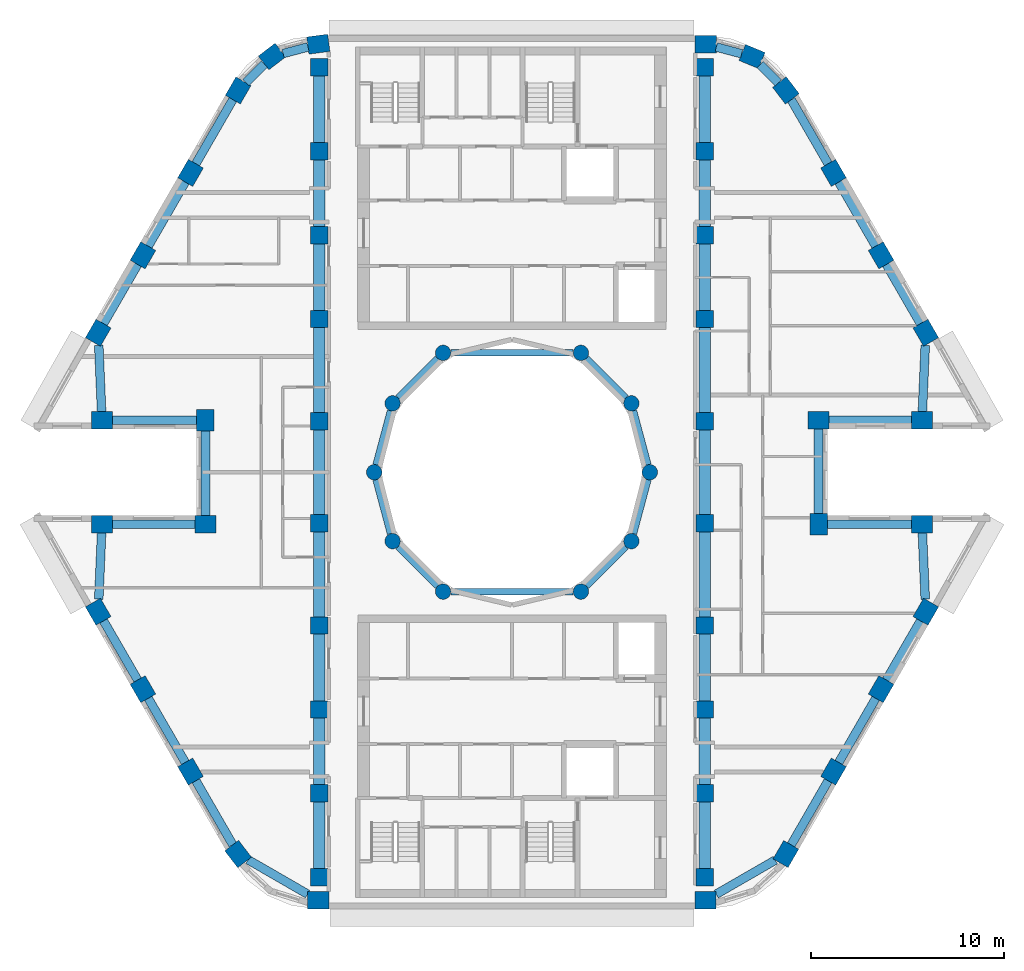
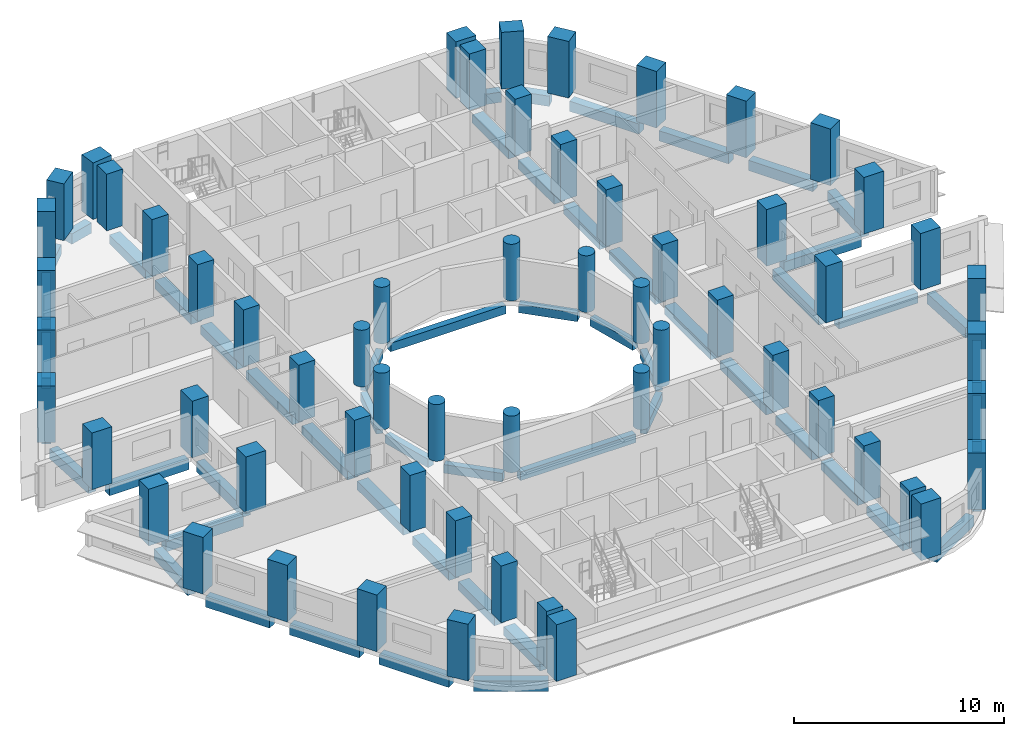
# One storey, part 1 of 12: 60 columns, 56 beams.
"""IFC4 building model written with IfcOpenShell, lengths in metres."""

import ifcopenshell
import ifcopenshell.guid

model = None  # the IFC model being written
_history = None  # IfcOwnerHistory: only IFC2X3 demands one
_inside = {}  # id of a spatial element -> (the spatial element, [elements in it])
_under = {}  # id of a project, library or spatial element -> (it, [spatial elements below it])
_declared = {}  # id of a project -> (the project, [libraries it declares])
_typed = {}  # id of a type object -> (the type object, [elements of that type])
_made_of = {}  # id of a material, layer set ... -> (it, [elements and type objects made of it])


def new_model(schema):
    """Start an empty IFC model of exactly this schema.

    Asked for "IFC4X3", IfcOpenShell would pick the latest addendum, in which some entities
    have other attributes; the version numbers below select the first issue.
    IFC2X3 requires an IfcOwnerHistory on every rooted entity: one is made here for all.
    """
    global model, _history
    if schema == "IFC4X3":
        model = ifcopenshell.file(schema_version=(4, 3, 0, 0))
    else:
        model = ifcopenshell.file(schema=schema)
    _inside.clear()
    _under.clear()
    _declared.clear()
    _typed.clear()
    _made_of.clear()
    _history = None
    if model.schema == "IFC2X3":
        org = make("IfcOrganization", Name="unknown")
        user = make(
            "IfcPersonAndOrganization",
            ThePerson=make("IfcPerson", FamilyName="unknown"),
            TheOrganization=org,
        )
        app = make(
            "IfcApplication",
            ApplicationDeveloper=org,
            Version="unknown",
            ApplicationFullName="unknown",
            ApplicationIdentifier="unknown",
        )
        _history = make(
            "IfcOwnerHistory",
            OwningUser=user,
            OwningApplication=app,
            ChangeAction="ADDED",
            CreationDate=0,
        )
    return model


def make(cls, **values):
    """One entity of the class cls with the attributes given. An attribute that is None is left unset."""
    return model.create_entity(
        cls, **{name: value for name, value in values.items() if value is not None}
    )


def rooted(cls, **values):
    """An entity with a GlobalId (a new one), such as an element, a storey or a relation."""
    return make(cls, GlobalId=ifcopenshell.guid.new(), OwnerHistory=_history, **values)


def si_unit(unit_type, name, prefix=None):
    """IfcSIUnit, for example si_unit("LENGTHUNIT", "METRE", prefix="MILLI")."""
    return make("IfcSIUnit", UnitType=unit_type, Prefix=prefix, Name=name)


def assignment(units):
    """IfcUnitAssignment: the units of a project."""
    return None if units is None else make("IfcUnitAssignment", Units=units)


def point(xyz):
    """IfcCartesianPoint."""
    return None if xyz is None else make("IfcCartesianPoint", Coordinates=xyz)


def direction(xyz):
    """IfcDirection."""
    return None if xyz is None else make("IfcDirection", DirectionRatios=xyz)


def frame(location, z_axis=None, x_axis=None):
    """IfcAxis2Placement3D, a coordinate frame: its origin and axes. An axis left out is left unset."""
    return make(
        "IfcAxis2Placement3D",
        Location=point(location),
        Axis=direction(z_axis),
        RefDirection=direction(x_axis),
    )


def frame_2d(location, x_axis=None):
    """IfcAxis2Placement2D, a coordinate frame in the plane: its origin and x axis."""
    return make(
        "IfcAxis2Placement2D", Location=point(location), RefDirection=direction(x_axis)
    )


def origin():
    """The frame at (0, 0, 0) with its axes left unset."""
    return frame((0.0, 0.0, 0.0))


def origin_2d():
    """The frame at (0, 0) in the plane with its x axis left unset."""
    return frame_2d((0.0, 0.0))


def place(relative_to, where):
    """IfcLocalPlacement: puts the frame where relative to a parent placement (None: the world)."""
    return make(
        "IfcLocalPlacement", PlacementRelTo=relative_to, RelativePlacement=where
    )


def context(
    kind, dimensions, precision=None, world=None, true_north=None, identifier=None
):
    """IfcGeometricRepresentationContext, for example the 3D "Model" context."""
    return make(
        "IfcGeometricRepresentationContext",
        ContextIdentifier=identifier,
        ContextType=kind,
        CoordinateSpaceDimension=dimensions,
        Precision=precision,
        WorldCoordinateSystem=world,
        TrueNorth=true_north,
    )


def subcontext(parent, identifier, kind, view, scale=None):
    """IfcGeometricRepresentationSubContext, for example "Body" below "Model"."""
    return make(
        "IfcGeometricRepresentationSubContext",
        ContextIdentifier=identifier,
        ContextType=kind,
        ParentContext=parent,
        TargetScale=scale,
        TargetView=view,
    )


def project(units=None, contexts=None):
    """IfcProject with its units and contexts."""
    return rooted(
        "IfcProject",
        Name="project",
        RepresentationContexts=contexts,
        UnitsInContext=assignment(units),
    )


def spatial(cls, under=None, at=None, **own):
    """A site, building, storey or space (cls), placed at a placement, below another one or the project."""
    s = rooted(cls, ObjectPlacement=at, **own)
    if under is not None:
        _under.setdefault(under.id(), (under, []))[1].append(s)
    return s


def profile(cls, at=None, kind="AREA", **sizes):
    """A parametric profile (cls). Its sizes go by their IFC names, for example OverallWidth=200.0."""
    return make(cls, ProfileType=kind, Position=at, **sizes)


def rectangle(**sizes):
    """IfcRectangleProfileDef."""
    return profile("IfcRectangleProfileDef", **sizes)


def circle(**sizes):
    """IfcCircleProfileDef."""
    return profile("IfcCircleProfileDef", **sizes)


def extrude(swept, where, along, depth):
    """IfcExtrudedAreaSolid: the profile swept, set in the frame where, extruded along a direction by depth."""
    return make(
        "IfcExtrudedAreaSolid",
        SweptArea=swept,
        Position=where,
        ExtrudedDirection=direction(along),
        Depth=depth,
    )


def shape(context_of_items, identifier, shape_type, items):
    """IfcShapeRepresentation: the items that make up one representation, for example the "Body"."""
    return make(
        "IfcShapeRepresentation",
        ContextOfItems=context_of_items,
        RepresentationIdentifier=identifier,
        RepresentationType=shape_type,
        Items=items,
    )


def material(Name=None, Category=None):
    """IfcMaterial."""
    return make("IfcMaterial", Name=Name, Category=Category)


def material_profile(
    of_material, cross_section, Name=None, Category=None, Priority=None
):
    """IfcMaterialProfile: a cross section and its material."""
    return make(
        "IfcMaterialProfile",
        Name=Name,
        Material=of_material,
        Profile=cross_section,
        Priority=Priority,
        Category=Category,
    )


def profile_set(profiles, Name=None, composite=None):
    """IfcMaterialProfileSet."""
    return make(
        "IfcMaterialProfileSet",
        Name=Name,
        MaterialProfiles=profiles,
        CompositeProfile=composite,
    )


def made_of(thing, what):
    """Note that an element or type object is made of a material, layer set ...; save() writes the relation."""
    if what is not None:
        _made_of.setdefault(what.id(), (what, []))[1].append(thing)
    return thing


def type_object(cls, material=None, **own):
    """A type object (cls), such as IfcWallType, which elements share."""
    return made_of(rooted(cls, **own), material)


def element(
    cls,
    number,
    at=None,
    inside=None,
    cuts=None,
    type_object=None,
    material=None,
    context=None,
    identifier="Body",
    shape_type=None,
    held_by="IfcProductDefinitionShape",
    body=None,
    shapes=None,
    **own,
):
    """One element of the class cls, such as IfcWall. Its Tag is "e" and its number.

    at: its placement. inside: the storey or other place that contains it. cuts: it is an
    opening in that element (IfcRelVoidsElement). A single representation is given by context,
    identifier, shape_type and body (its items); several are given by shapes. held_by: the class
    of the entity that holds the representations. save() writes the other relations.
    """
    e = rooted(cls, Tag="e%d" % number, ObjectPlacement=at, **own)
    if body is not None:
        shapes = [shape(context, identifier, shape_type, body)]
    if shapes is not None:
        e.Representation = make(held_by, Representations=shapes)
    if inside is not None:
        _inside.setdefault(inside.id(), (inside, []))[1].append(e)
    if cuts is not None:
        rooted(
            "IfcRelVoidsElement", RelatingBuildingElement=cuts, RelatedOpeningElement=e
        )
    if type_object is not None:
        _typed.setdefault(type_object.id(), (type_object, []))[1].append(e)
    return made_of(e, material)


def aggregate(whole, parts):
    """IfcRelAggregates: a whole, such as a stair, and the parts it consists of."""
    return rooted("IfcRelAggregates", RelatingObject=whole, RelatedObjects=parts)


def save(model, path):
    """Write the relations noted so far, then the file.

    IfcRelAggregates (storeys below a building ...), IfcRelContainedInSpatialStructure (elements
    in a storey), IfcRelDefinesByType, IfcRelAssociatesMaterial and IfcRelDeclares: one each for
    every whole, place, type object, material and project.
    """
    for whole, parts in _under.values():
        aggregate(whole, parts)
    for where, things in _inside.values():
        rooted(
            "IfcRelContainedInSpatialStructure",
            RelatedElements=things,
            RelatingStructure=where,
        )
    for kind, things in _typed.values():
        rooted("IfcRelDefinesByType", RelatedObjects=things, RelatingType=kind)
    for what, things in _made_of.values():
        rooted("IfcRelAssociatesMaterial", RelatedObjects=things, RelatingMaterial=what)
    for by, libraries in _declared.values():
        rooted("IfcRelDeclares", RelatingContext=by, RelatedDefinitions=libraries)
    model.write(path)


model = new_model("IFC4")

# Units and contexts
model_context = context("Model", 3, precision=1e-05, world=origin(), true_north=direction((0.0, 1.0)))
body_context = subcontext(model_context, "Body", "Model", "MODEL_VIEW")
ifc_project = project(units=[si_unit("LENGTHUNIT", "METRE"), si_unit("AREAUNIT", "SQUARE_METRE"), si_unit("VOLUMEUNIT", "CUBIC_METRE"), si_unit("PLANEANGLEUNIT", "RADIAN"), si_unit("MASSUNIT", "GRAM", prefix="KILO")], contexts=[model_context])

# Site, building, storey
site_placement = place(None, origin())
site = spatial("IfcSite", under=ifc_project, at=site_placement, CompositionType="ELEMENT")
building_placement = place(site_placement, origin())
building = spatial("IfcBuilding", under=site, at=building_placement, Name="Nakaniwa Court", CompositionType="ELEMENT")
storey_placement = place(building_placement, frame((0.0, 0.0, 249.300048828125)))
storey = spatial("IfcBuildingStorey", under=building, at=storey_placement, Name="L65", CompositionType="ELEMENT", Elevation=249.300048828125)

# Columns
ifc_material = material(Name="Concrete C80/100", Category="concrete")
ifc_material_profile_1 = material_profile(ifc_material, rectangle(XDim=1.10009765625, YDim=0.89990234375, at=origin_2d()), Name="Concrete C80/100 RC 1100x900 perimeter column")
ifc_profile_set_1 = profile_set([ifc_material_profile_1], Name="Concrete C80/100")
column_type_1 = type_object("IfcColumnType", Name="Concrete C80/100 RC 1100x900 perimeter column", PredefinedType="COLUMN", material=ifc_profile_set_1)
for number, where, z_axis, x_axis, name in (
    (1, (69.95458984375, 102.199951171875, 0.0), (0.0, 0.0, 1.0), (-0.991442583111, -0.130543496177, 0.0), "COLUMN CO-01"),
    (2, (67.552001953125, 101.560302734375, 0.0), (0.0, 0.0, 1.0), (-0.793363965062, -0.608747582288, 0.0), "COLUMN CO-02"),
    (3, (65.796875, 99.799560546875, 0.0), (0.0, 0.0, 1.0), (-0.5, -0.866025403784, 0.0), "COLUMN CO-03"),
    (4, (63.328857421875, 95.524658203125, 0.0), (0.0, 0.0, 1.0), (-0.5, -0.866025403784, 0.0), "COLUMN CO-04"),
    (5, (60.860595703125, 91.249755859375, 0.0), (0.0, 0.0, 1.0), (-0.5, -0.866025403784, 0.0), "COLUMN CO-05"),
    (6, (58.541015625, 87.232177734375, 0.0), (0.0, 0.0, 1.0), (-0.5, -0.866025403784, 0.0), "COLUMN CO-06"),
    (7, (58.736083984375, 82.699951171875, 0.0), (0.0, 0.0, 1.0), (1.0, 0.0, 0.0), "COLUMN CO-08"),
    (8, (64.1005859375, 82.699951171875, 0.0), (0.0, 0.0, 1.0), (0.0, -1.0, 0.0), "COLUMN CO-09"),
    (9, (64.1005859375, 77.300048828125, 0.0), (0.0, 0.0, 1.0), (-1.0, 0.0, 0.0), "COLUMN CO-10"),
    (10, (58.736083984375, 77.300048828125, 0.0), (0.0, 0.0, 1.0), (-1.0, 0.0, 0.0), "COLUMN CO-11"),
    (11, (58.541015625, 72.767822265625, 0.0), (0.0, 0.0, 1.0), (0.5, -0.866025403784, 0.0), "COLUMN CO-13"),
    (12, (60.860595703125, 68.750244140625, 0.0), (0.0, 0.0, 1.0), (0.5, -0.866025403784, 0.0), "COLUMN CO-14"),
    (13, (63.328857421875, 64.475341796875, 0.0), (0.0, 0.0, 1.0), (0.5, -0.866025403784, 0.0), "COLUMN CO-15"),
    (14, (65.796875, 60.200439453125, 0.0), (0.0, 0.0, 1.0), (0.608761429009, -0.793353340291, 0.0), "COLUMN CO-16"),
    (15, (69.95458984375, 57.800048828125, 0.0), (0.0, 0.0, 1.0), (1.0, 0.0, 0.0), "COLUMN CO-17"),
    (16, (90.03955078125, 57.800048828125, 0.0), (0.0, 0.0, 1.0), (1.0, 0.0, 0.0), "COLUMN CO-21"),
    (17, (94.203125, 60.200439453125, 0.0), (0.0, 0.0, 1.0), (0.5, 0.866025403784, 0.0), "COLUMN CO-22"),
    (18, (96.671142578125, 64.475341796875, 0.0), (0.0, 0.0, 1.0), (0.5, 0.866025403784, 0.0), "COLUMN CO-23"),
    (19, (99.139404296875, 68.750244140625, 0.0), (0.0, 0.0, 1.0), (0.5, 0.866025403784, 0.0), "COLUMN CO-24"),
    (20, (101.458984375, 72.767822265625, 0.0), (0.0, 0.0, 1.0), (0.5, 0.866025403784, 0.0), "COLUMN CO-25"),
    (21, (101.263916015625, 77.300048828125, 0.0), (0.0, 0.0, 1.0), (-1.0, 0.0, 0.0), "COLUMN CO-27"),
    (22, (95.8994140625, 77.300048828125, 0.0), (0.0, 0.0, 1.0), (0.0, 1.0, 0.0), "COLUMN CO-28"),
    (23, (95.8994140625, 82.699951171875, 0.0), (0.0, 0.0, 1.0), (1.0, 0.0, 0.0), "COLUMN CO-29"),
    (24, (101.263916015625, 82.699951171875, 0.0), (0.0, 0.0, 1.0), (1.0, 0.0, 0.0), "COLUMN CO-30"),
    (25, (101.458984375, 87.232177734375, 0.0), (0.0, 0.0, 1.0), (-0.5, 0.866025403784, 0.0), "COLUMN CO-32"),
    (26, (99.139404296875, 91.249755859375, 0.0), (0.0, 0.0, 1.0), (-0.5, 0.866025403784, 0.0), "COLUMN CO-33"),
    (27, (96.671142578125, 95.524658203125, 0.0), (0.0, 0.0, 1.0), (-0.5, 0.866025403784, 0.0), "COLUMN CO-34"),
    (28, (94.203125, 99.799560546875, 0.0), (0.0, 0.0, 1.0), (-0.608761429009, 0.793353340291, 0.0), "COLUMN CO-35"),
    (29, (92.447998046875, 101.560302734375, 0.0), (0.0, 0.0, 1.0), (-0.923879532511, 0.382683432365, 0.0), "COLUMN CO-36"),
    (30, (90.04541015625, 102.199951171875, 0.0), (0.0, 0.0, 1.0), (-1.0, 0.0, 0.0), "COLUMN CO-37"),
):
    element("IfcColumn", number, at=place(storey_placement, frame(where, z_axis=z_axis, x_axis=x_axis)), inside=storey, type_object=column_type_1, Name=name, PredefinedType="COLUMN", context=body_context, shape_type="SweptSolid", body=[
        extrude(rectangle(XDim=1.10009765625, YDim=0.89990234375, at=origin_2d()), origin(), (0.0, 0.0, 1.0), 3.300048828125),
    ])
ifc_material_profile_2 = material_profile(ifc_material, rectangle(XDim=0.89990234375, YDim=0.89990234375, at=origin_2d()), Name="Concrete C80/100 RC 900x900 spine column")
ifc_profile_set_2 = profile_set([ifc_material_profile_2], Name="Concrete C80/100")
column_type_2 = type_object("IfcColumnType", Name="Concrete C80/100 RC 900x900 spine column", PredefinedType="COLUMN", material=ifc_profile_set_2)
for number, where, z_axis, x_axis, name in (
    (31, (90.0, 59.0, 0.0), (0.0, 0.0, 1.0), (0.0, 1.0, 0.0), "COLUMN CS-01"),
    (32, (90.0, 63.35009765625, 0.0), (0.0, 0.0, 1.0), (0.0, 1.0, 0.0), "COLUMN CS-02"),
    (33, (90.0, 67.699951171875, 0.0), (0.0, 0.0, 1.0), (0.0, 1.0, 0.0), "COLUMN CS-03"),
    (34, (90.0, 72.050048828125, 0.0), (0.0, 0.0, 1.0), (0.0, 1.0, 0.0), "COLUMN CS-04"),
    (35, (90.0, 77.35009765625, 0.0), (0.0, 0.0, 1.0), (0.0, 1.0, 0.0), "COLUMN CS-05"),
    (36, (90.0, 82.64990234375, 0.0), (0.0, 0.0, 1.0), (0.0, 1.0, 0.0), "COLUMN CS-06"),
    (37, (90.0, 87.949951171875, 0.0), (0.0, 0.0, 1.0), (0.0, 1.0, 0.0), "COLUMN CS-07"),
    (38, (90.0, 92.300048828125, 0.0), (0.0, 0.0, 1.0), (0.0, 1.0, 0.0), "COLUMN CS-08"),
    (39, (90.0, 96.64990234375, 0.0), (0.0, 0.0, 1.0), (0.0, 1.0, 0.0), "COLUMN CS-09"),
    (40, (90.0, 101.0, 0.0), (0.0, 0.0, 1.0), (0.0, 1.0, 0.0), "COLUMN CS-10"),
    (41, (70.0, 101.0, 0.0), (0.0, 0.0, 1.0), (0.0, -1.0, 0.0), "COLUMN CS-11"),
    (42, (70.0, 96.64990234375, 0.0), (0.0, 0.0, 1.0), (0.0, -1.0, 0.0), "COLUMN CS-12"),
    (43, (70.0, 92.300048828125, 0.0), (0.0, 0.0, 1.0), (0.0, -1.0, 0.0), "COLUMN CS-13"),
    (44, (70.0, 87.949951171875, 0.0), (0.0, 0.0, 1.0), (0.0, -1.0, 0.0), "COLUMN CS-14"),
    (45, (70.0, 82.64990234375, 0.0), (0.0, 0.0, 1.0), (0.0, -1.0, 0.0), "COLUMN CS-15"),
    (46, (70.0, 77.35009765625, 0.0), (0.0, 0.0, 1.0), (0.0, -1.0, 0.0), "COLUMN CS-16"),
    (47, (70.0, 72.050048828125, 0.0), (0.0, 0.0, 1.0), (0.0, -1.0, 0.0), "COLUMN CS-17"),
    (48, (70.0, 67.699951171875, 0.0), (0.0, 0.0, 1.0), (0.0, -1.0, 0.0), "COLUMN CS-18"),
    (49, (70.0, 63.35009765625, 0.0), (0.0, 0.0, 1.0), (0.0, -1.0, 0.0), "COLUMN CS-19"),
    (50, (70.0, 59.0, 0.0), (0.0, 0.0, 1.0), (0.0, -1.0, 0.0), "COLUMN CS-20"),
):
    element("IfcColumn", number, at=place(storey_placement, frame(where, z_axis=z_axis, x_axis=x_axis)), inside=storey, type_object=column_type_2, Name=name, PredefinedType="COLUMN", context=body_context, shape_type="SweptSolid", body=[
        extrude(rectangle(XDim=0.89990234375, YDim=0.89990234375, at=origin_2d()), origin(), (0.0, 0.0, 1.0), 3.300048828125),
    ])
ifc_material_profile_3 = material_profile(ifc_material, circle(Radius=0.39990234375, at=origin_2d()), Name="Concrete C80/100 RC D800 inner ring column")
ifc_profile_set_3 = profile_set([ifc_material_profile_3], Name="Concrete C80/100")
column_type_3 = type_object("IfcColumnType", Name="Concrete C80/100 RC D800 inner ring column", PredefinedType="COLUMN", material=ifc_profile_set_3)
for number, where, z_axis, x_axis, name in (
    (51, (87.14990234375, 80.0, 0.0), (0.0, 0.0, 1.0), (0.0, 1.0, 0.0), "COLUMN CI-01"),
    (52, (86.192138671875, 83.574951171875, 0.0), (0.0, 0.0, 1.0), (-0.5, 0.866025403784, 0.0), "COLUMN CI-02"),
    (53, (83.574951171875, 86.192138671875, 0.0), (0.0, 0.0, 1.0), (-0.866025403784, 0.5, 0.0), "COLUMN CI-03"),
    (54, (76.425048828125, 86.192138671875, 0.0), (0.0, 0.0, 1.0), (-0.866025403784, -0.5, 0.0), "COLUMN CI-05"),
    (55, (73.807861328125, 83.574951171875, 0.0), (0.0, 0.0, 1.0), (-0.5, -0.866025403784, 0.0), "COLUMN CI-06"),
    (56, (72.85009765625, 80.0, 0.0), (0.0, 0.0, 1.0), (0.0, -1.0, 0.0), "COLUMN CI-07"),
    (57, (73.807861328125, 76.425048828125, 0.0), (0.0, 0.0, 1.0), (0.5, -0.866025403784, 0.0), "COLUMN CI-08"),
    (58, (76.425048828125, 73.807861328125, 0.0), (0.0, 0.0, 1.0), (0.866025403784, -0.5, 0.0), "COLUMN CI-09"),
    (59, (83.574951171875, 73.807861328125, 0.0), (0.0, 0.0, 1.0), (0.866025403784, 0.5, 0.0), "COLUMN CI-11"),
    (60, (86.192138671875, 76.425048828125, 0.0), (0.0, 0.0, 1.0), (0.5, 0.866025403784, 0.0), "COLUMN CI-12"),
):
    element("IfcColumn", number, at=place(storey_placement, frame(where, z_axis=z_axis, x_axis=x_axis)), inside=storey, type_object=column_type_3, Name=name, PredefinedType="COLUMN", context=body_context, shape_type="SweptSolid", body=[
        extrude(circle(Radius=0.39990234375, at=origin_2d()), origin(), (0.0, 0.0, 1.0), 3.300048828125),
    ])

# Beams
ifc_material_profile_4 = material_profile(ifc_material, rectangle(XDim=0.35009765625, YDim=0.5, at=origin_2d()), Name="Concrete C80/100 RC 350x500 ring beam")
ifc_profile_set_4 = profile_set([ifc_material_profile_4], Name="Concrete C80/100")
beam_type_1 = type_object("IfcBeamType", Name="Concrete C80/100 RC 350x500 ring beam", PredefinedType="BEAM", material=ifc_profile_set_4)
beam_1_placement = place(storey_placement, frame((87.04638671875, 80.386474609375, -0.525146484375), z_axis=(-0.258778150207, 0.965936783115, 0.0), x_axis=(-0.965936783115, -0.258778150207, 0.0)))
element("IfcBeam", 61, at=beam_1_placement, inside=storey, type_object=beam_type_1, Name="RING BEAM", PredefinedType="BEAM", context=body_context, shape_type="SweptSolid", body=[
    extrude(rectangle(XDim=0.35009765625, YDim=0.5, at=origin_2d()), origin(), (0.0, 0.0, 1.0), 2.901123046875),
])
beam_2_placement = place(storey_placement, frame((85.9091796875, 83.85791015625, -0.525146484375), z_axis=(-0.707106781187, 0.707106781187, 0.0), x_axis=(-0.707106781187, -0.707106781187, 0.0)))
element("IfcBeam", 62, at=beam_2_placement, inside=storey, type_object=beam_type_1, Name="RING BEAM", PredefinedType="BEAM", context=body_context, shape_type="SweptSolid", body=[
    extrude(rectangle(XDim=0.35009765625, YDim=0.5, at=origin_2d()), origin(), (0.0, 0.0, 1.0), 2.90087890625),
])
beam_3_placement = place(storey_placement, frame((83.175048828125, 86.192138671875, -0.525146484375), z_axis=(-1.0, 0.0, 0.0), x_axis=(0.0, -1.0, 0.0)))
element("IfcBeam", 63, at=beam_3_placement, inside=storey, type_object=beam_type_1, Name="RING BEAM", PredefinedType="BEAM", context=body_context, shape_type="SweptSolid", body=[
    extrude(rectangle(XDim=0.35009765625, YDim=0.5, at=origin_2d()), origin(), (0.0, 0.0, 1.0), 6.35009765625),
])
beam_4_placement = place(storey_placement, frame((76.14208984375, 85.9091796875, -0.525146484375), z_axis=(-0.707106781187, -0.707106781187, 0.0), x_axis=(0.707106781187, -0.707106781187, 0.0)))
element("IfcBeam", 64, at=beam_4_placement, inside=storey, type_object=beam_type_1, Name="RING BEAM", PredefinedType="BEAM", context=body_context, shape_type="SweptSolid", body=[
    extrude(rectangle(XDim=0.35009765625, YDim=0.5, at=origin_2d()), origin(), (0.0, 0.0, 1.0), 2.90087890625),
])
for number, where, z_axis, x_axis, name in (
    (65, (73.704345703125, 83.188720703125, -0.525146484375), (-0.258778150207, -0.965936783115, 0.0), (0.965936783115, -0.258778150207, 0.0), "RING BEAM"),
    (66, (72.95361328125, 79.613525390625, -0.525146484375), (0.258778150207, -0.965936783115, 0.0), (0.965936783115, 0.258778150207, 0.0), "RING BEAM"),
):
    element("IfcBeam", number, at=place(storey_placement, frame(where, z_axis=z_axis, x_axis=x_axis)), inside=storey, type_object=beam_type_1, Name=name, PredefinedType="BEAM", context=body_context, shape_type="SweptSolid", body=[
        extrude(rectangle(XDim=0.35009765625, YDim=0.5, at=origin_2d()), origin(), (0.0, 0.0, 1.0), 2.901123046875),
    ])
beam_5_placement = place(storey_placement, frame((74.0908203125, 76.14208984375, -0.525146484375), z_axis=(0.707106781187, -0.707106781187, 0.0), x_axis=(0.707106781187, 0.707106781187, 0.0)))
element("IfcBeam", 67, at=beam_5_placement, inside=storey, type_object=beam_type_1, Name="RING BEAM", PredefinedType="BEAM", context=body_context, shape_type="SweptSolid", body=[
    extrude(rectangle(XDim=0.35009765625, YDim=0.5, at=origin_2d()), origin(), (0.0, 0.0, 1.0), 2.90087890625),
])
beam_6_placement = place(storey_placement, frame((76.824951171875, 73.807861328125, -0.525146484375), z_axis=(1.0, 0.0, 0.0), x_axis=(0.0, 1.0, 0.0)))
element("IfcBeam", 68, at=beam_6_placement, inside=storey, type_object=beam_type_1, Name="RING BEAM", PredefinedType="BEAM", context=body_context, shape_type="SweptSolid", body=[
    extrude(rectangle(XDim=0.35009765625, YDim=0.5, at=origin_2d()), origin(), (0.0, 0.0, 1.0), 6.35009765625),
])
beam_7_placement = place(storey_placement, frame((83.85791015625, 74.0908203125, -0.525146484375), z_axis=(0.707106781187, 0.707106781187, 0.0), x_axis=(-0.707106781187, 0.707106781187, 0.0)))
element("IfcBeam", 69, at=beam_7_placement, inside=storey, type_object=beam_type_1, Name="RING BEAM", PredefinedType="BEAM", context=body_context, shape_type="SweptSolid", body=[
    extrude(rectangle(XDim=0.35009765625, YDim=0.5, at=origin_2d()), origin(), (0.0, 0.0, 1.0), 2.90087890625),
])
beam_8_placement = place(storey_placement, frame((86.295654296875, 76.811279296875, -0.525146484375), z_axis=(0.258778150207, 0.965936783115, 0.0), x_axis=(-0.965936783115, 0.258778150207, 0.0)))
element("IfcBeam", 70, at=beam_8_placement, inside=storey, type_object=beam_type_1, Name="RING BEAM", PredefinedType="BEAM", context=body_context, shape_type="SweptSolid", body=[
    extrude(rectangle(XDim=0.35009765625, YDim=0.5, at=origin_2d()), origin(), (0.0, 0.0, 1.0), 2.901123046875),
])
ifc_material_profile_5 = material_profile(ifc_material, rectangle(XDim=0.449951171875, YDim=0.60009765625, at=origin_2d()), Name="Concrete C80/100 RC 450x600 spandrel beam")
ifc_profile_set_5 = profile_set([ifc_material_profile_5], Name="Concrete C80/100")
beam_type_2 = type_object("IfcBeamType", Name="Concrete C80/100 RC 450x600 spandrel beam", PredefinedType="BEAM", material=ifc_profile_set_5)
beam_9_placement = place(storey_placement, frame((69.418701171875, 102.057373046875, -0.574951171875), z_axis=(-0.966286479475, -0.257469298332, 0.0), x_axis=(0.257469298332, -0.966286479475, 0.0)))
element("IfcBeam", 71, at=beam_9_placement, inside=storey, type_object=beam_type_2, Name="SPANDREL BEAM", PredefinedType="BEAM", context=body_context, shape_type="SweptSolid", body=[
    extrude(rectangle(XDim=0.449951171875, YDim=0.60009765625, at=origin_2d()), origin(), (0.0, 0.0, 1.0), 1.3359375),
])
beam_10_placement = place(storey_placement, frame((67.160400390625, 101.167236328125, -0.574951171875), z_axis=(-0.706030517025, -0.708181409689, 0.0), x_axis=(0.708181409689, -0.706030517025, 0.0)))
element("IfcBeam", 72, at=beam_10_placement, inside=storey, type_object=beam_type_2, Name="SPANDREL BEAM", PredefinedType="BEAM", context=body_context, shape_type="SweptSolid", body=[
    extrude(rectangle(XDim=0.449951171875, YDim=0.60009765625, at=origin_2d()), origin(), (0.0, 0.0, 1.0), 1.362060546875),
])
for number, where, z_axis, x_axis, name in (
    (73, (65.52197265625, 99.3232421875, -0.574951171875), (-0.50001992892, -0.866013897511, 0.0), (0.866013897511, -0.50001992892, 0.0), "SPANDREL BEAM"),
    (74, (63.0537109375, 95.04833984375, -0.574951171875), (-0.499972197867, -0.866041454758, 0.0), (0.866041454758, -0.499972197867, 0.0), "SPANDREL BEAM"),
):
    element("IfcBeam", number, at=place(storey_placement, frame(where, z_axis=z_axis, x_axis=x_axis)), inside=storey, type_object=beam_type_2, Name=name, PredefinedType="BEAM", context=body_context, shape_type="SweptSolid", body=[
        extrude(rectangle(XDim=0.449951171875, YDim=0.60009765625, at=origin_2d()), origin(), (0.0, 0.0, 1.0), 3.836181640625),
    ])
beam_11_placement = place(storey_placement, frame((60.585693359375, 90.7734375, -0.574951171875), z_axis=(-0.499997139945, -0.866027055032, 0.0), x_axis=(0.866027055032, -0.499997139945, 0.0)))
element("IfcBeam", 75, at=beam_11_placement, inside=storey, type_object=beam_type_2, Name="SPANDREL BEAM", PredefinedType="BEAM", context=body_context, shape_type="SweptSolid", body=[
    extrude(rectangle(XDim=0.449951171875, YDim=0.60009765625, at=origin_2d()), origin(), (0.0, 0.0, 1.0), 3.5390625),
])
beam_12_placement = place(storey_placement, frame((58.569091796875, 86.580810546875, -0.574951171875), z_axis=(0.042940503042, -0.999077631217, 0.0), x_axis=(0.999077631217, 0.042940503042, 0.0)))
element("IfcBeam", 76, at=beam_12_placement, inside=storey, type_object=beam_type_2, Name="SPANDREL BEAM", PredefinedType="BEAM", context=body_context, shape_type="SweptSolid", body=[
    extrude(rectangle(XDim=0.449951171875, YDim=0.60009765625, at=origin_2d()), origin(), (0.0, 0.0, 1.0), 3.43408203125),
])
beam_13_placement = place(storey_placement, frame((59.285888671875, 82.699951171875, -0.574951171875), z_axis=(1.0, 0.0, 0.0), x_axis=(0.0, 1.0, 0.0)))
element("IfcBeam", 77, at=beam_13_placement, inside=storey, type_object=beam_type_2, Name="SPANDREL BEAM", PredefinedType="BEAM", context=body_context, shape_type="SweptSolid", body=[
    extrude(rectangle(XDim=0.449951171875, YDim=0.60009765625, at=origin_2d()), origin(), (0.0, 0.0, 1.0), 4.364501953125),
])
beam_14_placement = place(storey_placement, frame((64.1005859375, 82.14990234375, -0.574951171875), z_axis=(0.0, -1.0, 0.0), x_axis=(1.0, 0.0, 0.0)))
element("IfcBeam", 78, at=beam_14_placement, inside=storey, type_object=beam_type_2, Name="SPANDREL BEAM", PredefinedType="BEAM", context=body_context, shape_type="SweptSolid", body=[
    extrude(rectangle(XDim=0.449951171875, YDim=0.60009765625, at=origin_2d()), origin(), (0.0, 0.0, 1.0), 4.39990234375),
])
beam_15_placement = place(storey_placement, frame((63.550537109375, 77.300048828125, -0.574951171875), z_axis=(-1.0, 0.0, 0.0), x_axis=(0.0, -1.0, 0.0)))
element("IfcBeam", 79, at=beam_15_placement, inside=storey, type_object=beam_type_2, Name="SPANDREL BEAM", PredefinedType="BEAM", context=body_context, shape_type="SweptSolid", body=[
    extrude(rectangle(XDim=0.449951171875, YDim=0.60009765625, at=origin_2d()), origin(), (0.0, 0.0, 1.0), 4.2646484375),
])
beam_16_placement = place(storey_placement, frame((58.716552734375, 76.85009765625, -0.574951171875), z_axis=(-0.042940503042, -0.999077631217, 0.0), x_axis=(0.999077631217, -0.042940503042, 0.0)))
element("IfcBeam", 80, at=beam_16_placement, inside=storey, type_object=beam_type_2, Name="SPANDREL BEAM", PredefinedType="BEAM", context=body_context, shape_type="SweptSolid", body=[
    extrude(rectangle(XDim=0.449951171875, YDim=0.60009765625, at=origin_2d()), origin(), (0.0, 0.0, 1.0), 3.43408203125),
])
beam_17_placement = place(storey_placement, frame((58.816162109375, 72.29150390625, -0.574951171875), z_axis=(0.499997139945, -0.866027055032, 0.0), x_axis=(0.866027055032, 0.499997139945, 0.0)))
element("IfcBeam", 81, at=beam_17_placement, inside=storey, type_object=beam_type_2, Name="SPANDREL BEAM", PredefinedType="BEAM", context=body_context, shape_type="SweptSolid", body=[
    extrude(rectangle(XDim=0.449951171875, YDim=0.60009765625, at=origin_2d()), origin(), (0.0, 0.0, 1.0), 3.5390625),
])
beam_18_placement = place(storey_placement, frame((61.1357421875, 68.27392578125, -0.574951171875), z_axis=(0.499972197867, -0.866041454758, 0.0), x_axis=(0.866041454758, 0.499972197867, 0.0)))
element("IfcBeam", 82, at=beam_18_placement, inside=storey, type_object=beam_type_2, Name="SPANDREL BEAM", PredefinedType="BEAM", context=body_context, shape_type="SweptSolid", body=[
    extrude(rectangle(XDim=0.449951171875, YDim=0.60009765625, at=origin_2d()), origin(), (0.0, 0.0, 1.0), 3.836181640625),
])
beam_19_placement = place(storey_placement, frame((63.603759765625, 63.9990234375, -0.574951171875), z_axis=(0.500011110731, -0.866018988906, 0.0), x_axis=(0.866018988906, 0.500011110731, 0.0)))
element("IfcBeam", 83, at=beam_19_placement, inside=storey, type_object=beam_type_2, Name="SPANDREL BEAM", PredefinedType="BEAM", context=body_context, shape_type="SweptSolid", body=[
    extrude(rectangle(XDim=0.449951171875, YDim=0.60009765625, at=origin_2d()), origin(), (0.0, 0.0, 1.0), 3.83154296875),
])
beam_20_placement = place(storey_placement, frame((66.3125, 59.90283203125, -0.574951171875), z_axis=(0.866017069707, -0.500014434768, 0.0), x_axis=(0.500014434768, 0.866017069707, 0.0)))
element("IfcBeam", 84, at=beam_20_placement, inside=storey, type_object=beam_type_2, Name="SPANDREL BEAM", PredefinedType="BEAM", context=body_context, shape_type="SweptSolid", body=[
    extrude(rectangle(XDim=0.449951171875, YDim=0.60009765625, at=origin_2d()), origin(), (0.0, 0.0, 1.0), 3.57080078125),
])
beam_21_placement = place(storey_placement, frame((90.589599609375, 58.1171875, -0.574951171875), z_axis=(0.866307414098, 0.499511225378, 0.0), x_axis=(-0.499511225378, 0.866307414098, 0.0)))
element("IfcBeam", 85, at=beam_21_placement, inside=storey, type_object=beam_type_2, Name="SPANDREL BEAM", PredefinedType="BEAM", context=body_context, shape_type="SweptSolid", body=[
    extrude(rectangle(XDim=0.449951171875, YDim=0.60009765625, at=origin_2d()), origin(), (0.0, 0.0, 1.0), 3.53564453125),
])
for number, where, z_axis, x_axis, name in (
    (86, (94.47802734375, 60.6767578125, -0.574951171875), (0.50001992892, 0.866013897511, 0.0), (-0.866013897511, 0.50001992892, 0.0), "SPANDREL BEAM"),
    (87, (96.9462890625, 64.95166015625, -0.574951171875), (0.499972197867, 0.866041454758, 0.0), (-0.866041454758, 0.499972197867, 0.0), "SPANDREL BEAM"),
):
    element("IfcBeam", number, at=place(storey_placement, frame(where, z_axis=z_axis, x_axis=x_axis)), inside=storey, type_object=beam_type_2, Name=name, PredefinedType="BEAM", context=body_context, shape_type="SweptSolid", body=[
        extrude(rectangle(XDim=0.449951171875, YDim=0.60009765625, at=origin_2d()), origin(), (0.0, 0.0, 1.0), 3.836181640625),
    ])
beam_22_placement = place(storey_placement, frame((99.414306640625, 69.2265625, -0.574951171875), z_axis=(0.499997139945, 0.866027055032, 0.0), x_axis=(-0.866027055032, 0.499997139945, 0.0)))
element("IfcBeam", 88, at=beam_22_placement, inside=storey, type_object=beam_type_2, Name="SPANDREL BEAM", PredefinedType="BEAM", context=body_context, shape_type="SweptSolid", body=[
    extrude(rectangle(XDim=0.449951171875, YDim=0.60009765625, at=origin_2d()), origin(), (0.0, 0.0, 1.0), 3.5390625),
])
beam_23_placement = place(storey_placement, frame((101.430908203125, 73.419189453125, -0.574951171875), z_axis=(-0.042940503042, 0.999077631217, 0.0), x_axis=(-0.999077631217, -0.042940503042, 0.0)))
element("IfcBeam", 89, at=beam_23_placement, inside=storey, type_object=beam_type_2, Name="SPANDREL BEAM", PredefinedType="BEAM", context=body_context, shape_type="SweptSolid", body=[
    extrude(rectangle(XDim=0.449951171875, YDim=0.60009765625, at=origin_2d()), origin(), (0.0, 0.0, 1.0), 3.43408203125),
])
beam_24_placement = place(storey_placement, frame((100.714111328125, 77.300048828125, -0.574951171875), z_axis=(-1.0, 0.0, 0.0), x_axis=(0.0, -1.0, 0.0)))
element("IfcBeam", 90, at=beam_24_placement, inside=storey, type_object=beam_type_2, Name="SPANDREL BEAM", PredefinedType="BEAM", context=body_context, shape_type="SweptSolid", body=[
    extrude(rectangle(XDim=0.449951171875, YDim=0.60009765625, at=origin_2d()), origin(), (0.0, 0.0, 1.0), 4.364501953125),
])
beam_25_placement = place(storey_placement, frame((95.8994140625, 77.85009765625, -0.574951171875), z_axis=(0.0, 1.0, 0.0), x_axis=(-1.0, 0.0, 0.0)))
element("IfcBeam", 91, at=beam_25_placement, inside=storey, type_object=beam_type_2, Name="SPANDREL BEAM", PredefinedType="BEAM", context=body_context, shape_type="SweptSolid", body=[
    extrude(rectangle(XDim=0.449951171875, YDim=0.60009765625, at=origin_2d()), origin(), (0.0, 0.0, 1.0), 4.39990234375),
])
beam_26_placement = place(storey_placement, frame((96.449462890625, 82.699951171875, -0.574951171875), z_axis=(1.0, 0.0, 0.0), x_axis=(0.0, 1.0, 0.0)))
element("IfcBeam", 92, at=beam_26_placement, inside=storey, type_object=beam_type_2, Name="SPANDREL BEAM", PredefinedType="BEAM", context=body_context, shape_type="SweptSolid", body=[
    extrude(rectangle(XDim=0.449951171875, YDim=0.60009765625, at=origin_2d()), origin(), (0.0, 0.0, 1.0), 4.2646484375),
])
beam_27_placement = place(storey_placement, frame((101.283447265625, 83.14990234375, -0.574951171875), z_axis=(0.042940503042, 0.999077631217, 0.0), x_axis=(-0.999077631217, 0.042940503042, 0.0)))
element("IfcBeam", 93, at=beam_27_placement, inside=storey, type_object=beam_type_2, Name="SPANDREL BEAM", PredefinedType="BEAM", context=body_context, shape_type="SweptSolid", body=[
    extrude(rectangle(XDim=0.449951171875, YDim=0.60009765625, at=origin_2d()), origin(), (0.0, 0.0, 1.0), 3.43408203125),
])
beam_28_placement = place(storey_placement, frame((101.183837890625, 87.70849609375, -0.574951171875), z_axis=(-0.499997139945, 0.866027055032, 0.0), x_axis=(-0.866027055032, -0.499997139945, 0.0)))
element("IfcBeam", 94, at=beam_28_placement, inside=storey, type_object=beam_type_2, Name="SPANDREL BEAM", PredefinedType="BEAM", context=body_context, shape_type="SweptSolid", body=[
    extrude(rectangle(XDim=0.449951171875, YDim=0.60009765625, at=origin_2d()), origin(), (0.0, 0.0, 1.0), 3.5390625),
])
beam_29_placement = place(storey_placement, frame((98.8642578125, 91.72607421875, -0.574951171875), z_axis=(-0.499972197867, 0.866041454758, 0.0), x_axis=(-0.866041454758, -0.499972197867, 0.0)))
element("IfcBeam", 95, at=beam_29_placement, inside=storey, type_object=beam_type_2, Name="SPANDREL BEAM", PredefinedType="BEAM", context=body_context, shape_type="SweptSolid", body=[
    extrude(rectangle(XDim=0.449951171875, YDim=0.60009765625, at=origin_2d()), origin(), (0.0, 0.0, 1.0), 3.836181640625),
])
beam_30_placement = place(storey_placement, frame((96.396240234375, 96.0009765625, -0.574951171875), z_axis=(-0.500011110731, 0.866018988906, 0.0), x_axis=(-0.866018988906, -0.500011110731, 0.0)))
element("IfcBeam", 96, at=beam_30_placement, inside=storey, type_object=beam_type_2, Name="SPANDREL BEAM", PredefinedType="BEAM", context=body_context, shape_type="SweptSolid", body=[
    extrude(rectangle(XDim=0.449951171875, YDim=0.60009765625, at=origin_2d()), origin(), (0.0, 0.0, 1.0), 3.83154296875),
])
beam_31_placement = place(storey_placement, frame((93.8115234375, 100.1923828125, -0.574951171875), z_axis=(-0.706100745773, 0.708111387296, 0.0), x_axis=(-0.708111387296, -0.706100745773, 0.0)))
element("IfcBeam", 97, at=beam_31_placement, inside=storey, type_object=beam_type_2, Name="SPANDREL BEAM", PredefinedType="BEAM", context=body_context, shape_type="SweptSolid", body=[
    extrude(rectangle(XDim=0.449951171875, YDim=0.60009765625, at=origin_2d()), origin(), (0.0, 0.0, 1.0), 1.335693359375),
])
beam_32_placement = place(storey_placement, frame((91.91162109375, 101.702880859375, -0.574951171875), z_axis=(-0.966318174979, 0.257350315146, 0.0), x_axis=(-0.257350315146, -0.966318174979, 0.0)))
element("IfcBeam", 98, at=beam_32_placement, inside=storey, type_object=beam_type_2, Name="SPANDREL BEAM", PredefinedType="BEAM", context=body_context, shape_type="SweptSolid", body=[
    extrude(rectangle(XDim=0.449951171875, YDim=0.60009765625, at=origin_2d()), origin(), (0.0, 0.0, 1.0), 1.3623046875),
])
ifc_material_profile_6 = material_profile(ifc_material, rectangle(XDim=0.60009765625, YDim=0.5, at=origin_2d()), Name="Concrete C80/100 RC 600x500 ring beam")
ifc_profile_set_6 = profile_set([ifc_material_profile_6], Name="Concrete C80/100")
beam_type_3 = type_object("IfcBeamType", Name="Concrete C80/100 RC 600x500 ring beam", PredefinedType="BEAM", material=ifc_profile_set_6)
for number, where, z_axis, x_axis, name in (
    (99, (90.0, 59.449951171875, -0.525146484375), (0.0, 1.0, 0.0), (-1.0, 0.0, 0.0), "RING BEAM"),
    (100, (90.0, 63.800048828125, -0.525146484375), (0.0, 1.0, 0.0), (-1.0, 0.0, 0.0), "RING BEAM"),
):
    element("IfcBeam", number, at=place(storey_placement, frame(where, z_axis=z_axis, x_axis=x_axis)), inside=storey, type_object=beam_type_3, Name=name, PredefinedType="BEAM", context=body_context, shape_type="SweptSolid", body=[
        extrude(rectangle(XDim=0.60009765625, YDim=0.5, at=origin_2d()), origin(), (0.0, 0.0, 1.0), 3.449951171875),
    ])
beam_33_placement = place(storey_placement, frame((90.0, 68.14990234375, -0.525146484375), z_axis=(0.0, 1.0, 0.0), x_axis=(-1.0, 0.0, 0.0)))
element("IfcBeam", 101, at=beam_33_placement, inside=storey, type_object=beam_type_3, Name="RING BEAM", PredefinedType="BEAM", context=body_context, shape_type="SweptSolid", body=[
    extrude(rectangle(XDim=0.60009765625, YDim=0.5, at=origin_2d()), origin(), (0.0, 0.0, 1.0), 3.4501953125),
])
for number, where, z_axis, x_axis, name in (
    (102, (90.0, 72.5, -0.525146484375), (0.0, 1.0, 0.0), (-1.0, 0.0, 0.0), "RING BEAM"),
    (103, (90.0, 77.800048828125, -0.525146484375), (0.0, 1.0, 0.0), (-1.0, 0.0, 0.0), "RING BEAM"),
    (104, (90.0, 83.10009765625, -0.525146484375), (0.0, 1.0, 0.0), (-1.0, 0.0, 0.0), "RING BEAM"),
):
    element("IfcBeam", number, at=place(storey_placement, frame(where, z_axis=z_axis, x_axis=x_axis)), inside=storey, type_object=beam_type_3, Name=name, PredefinedType="BEAM", context=body_context, shape_type="SweptSolid", body=[
        extrude(rectangle(XDim=0.60009765625, YDim=0.5, at=origin_2d()), origin(), (0.0, 0.0, 1.0), 4.39990234375),
    ])
beam_34_placement = place(storey_placement, frame((90.0, 88.39990234375, -0.525146484375), z_axis=(0.0, 1.0, 0.0), x_axis=(-1.0, 0.0, 0.0)))
element("IfcBeam", 105, at=beam_34_placement, inside=storey, type_object=beam_type_3, Name="RING BEAM", PredefinedType="BEAM", context=body_context, shape_type="SweptSolid", body=[
    extrude(rectangle(XDim=0.60009765625, YDim=0.5, at=origin_2d()), origin(), (0.0, 0.0, 1.0), 3.4501953125),
])
for number, where, z_axis, x_axis, name in (
    (106, (90.0, 92.75, -0.525146484375), (0.0, 1.0, 0.0), (-1.0, 0.0, 0.0), "RING BEAM"),
    (107, (90.0, 97.10009765625, -0.525146484375), (0.0, 1.0, 0.0), (-1.0, 0.0, 0.0), "RING BEAM"),
    (108, (70.0, 100.550048828125, -0.525146484375), (0.0, -1.0, 0.0), (1.0, 0.0, 0.0), "RING BEAM"),
    (109, (70.0, 96.199951171875, -0.525146484375), (0.0, -1.0, 0.0), (1.0, 0.0, 0.0), "RING BEAM"),
):
    element("IfcBeam", number, at=place(storey_placement, frame(where, z_axis=z_axis, x_axis=x_axis)), inside=storey, type_object=beam_type_3, Name=name, PredefinedType="BEAM", context=body_context, shape_type="SweptSolid", body=[
        extrude(rectangle(XDim=0.60009765625, YDim=0.5, at=origin_2d()), origin(), (0.0, 0.0, 1.0), 3.449951171875),
    ])
beam_35_placement = place(storey_placement, frame((70.0, 91.85009765625, -0.525146484375), z_axis=(0.0, -1.0, 0.0), x_axis=(1.0, 0.0, 0.0)))
element("IfcBeam", 110, at=beam_35_placement, inside=storey, type_object=beam_type_3, Name="RING BEAM", PredefinedType="BEAM", context=body_context, shape_type="SweptSolid", body=[
    extrude(rectangle(XDim=0.60009765625, YDim=0.5, at=origin_2d()), origin(), (0.0, 0.0, 1.0), 3.4501953125),
])
for number, where, z_axis, x_axis, name in (
    (111, (70.0, 87.5, -0.525146484375), (0.0, -1.0, 0.0), (1.0, 0.0, 0.0), "RING BEAM"),
    (112, (70.0, 82.199951171875, -0.525146484375), (0.0, -1.0, 0.0), (1.0, 0.0, 0.0), "RING BEAM"),
    (113, (70.0, 76.89990234375, -0.525146484375), (0.0, -1.0, 0.0), (1.0, 0.0, 0.0), "RING BEAM"),
):
    element("IfcBeam", number, at=place(storey_placement, frame(where, z_axis=z_axis, x_axis=x_axis)), inside=storey, type_object=beam_type_3, Name=name, PredefinedType="BEAM", context=body_context, shape_type="SweptSolid", body=[
        extrude(rectangle(XDim=0.60009765625, YDim=0.5, at=origin_2d()), origin(), (0.0, 0.0, 1.0), 4.39990234375),
    ])
beam_36_placement = place(storey_placement, frame((70.0, 71.60009765625, -0.525146484375), z_axis=(0.0, -1.0, 0.0), x_axis=(1.0, 0.0, 0.0)))
element("IfcBeam", 114, at=beam_36_placement, inside=storey, type_object=beam_type_3, Name="RING BEAM", PredefinedType="BEAM", context=body_context, shape_type="SweptSolid", body=[
    extrude(rectangle(XDim=0.60009765625, YDim=0.5, at=origin_2d()), origin(), (0.0, 0.0, 1.0), 3.4501953125),
])
for number, where, z_axis, x_axis, name in (
    (115, (70.0, 67.25, -0.525146484375), (0.0, -1.0, 0.0), (1.0, 0.0, 0.0), "RING BEAM"),
    (116, (70.0, 62.89990234375, -0.525146484375), (0.0, -1.0, 0.0), (1.0, 0.0, 0.0), "RING BEAM"),
):
    element("IfcBeam", number, at=place(storey_placement, frame(where, z_axis=z_axis, x_axis=x_axis)), inside=storey, type_object=beam_type_3, Name=name, PredefinedType="BEAM", context=body_context, shape_type="SweptSolid", body=[
        extrude(rectangle(XDim=0.60009765625, YDim=0.5, at=origin_2d()), origin(), (0.0, 0.0, 1.0), 3.449951171875),
    ])

save(model, "model.ifc")
